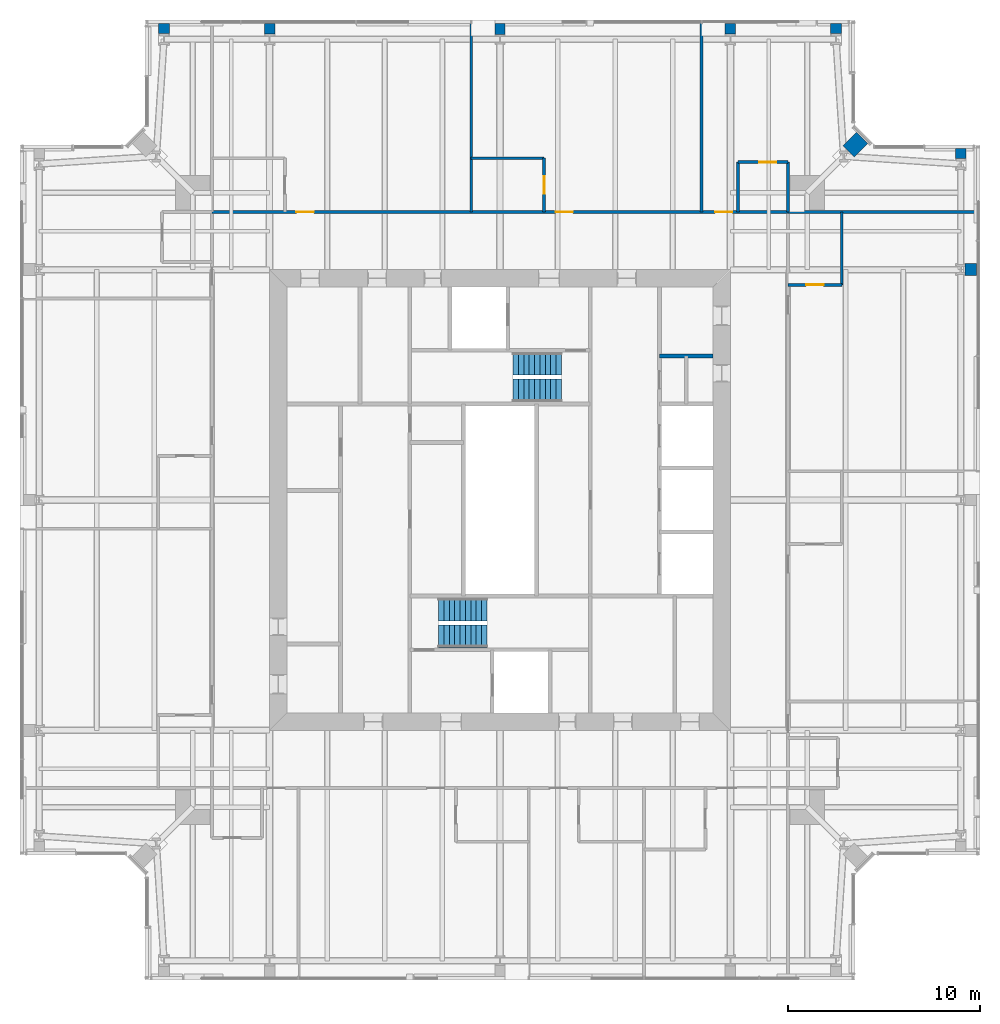
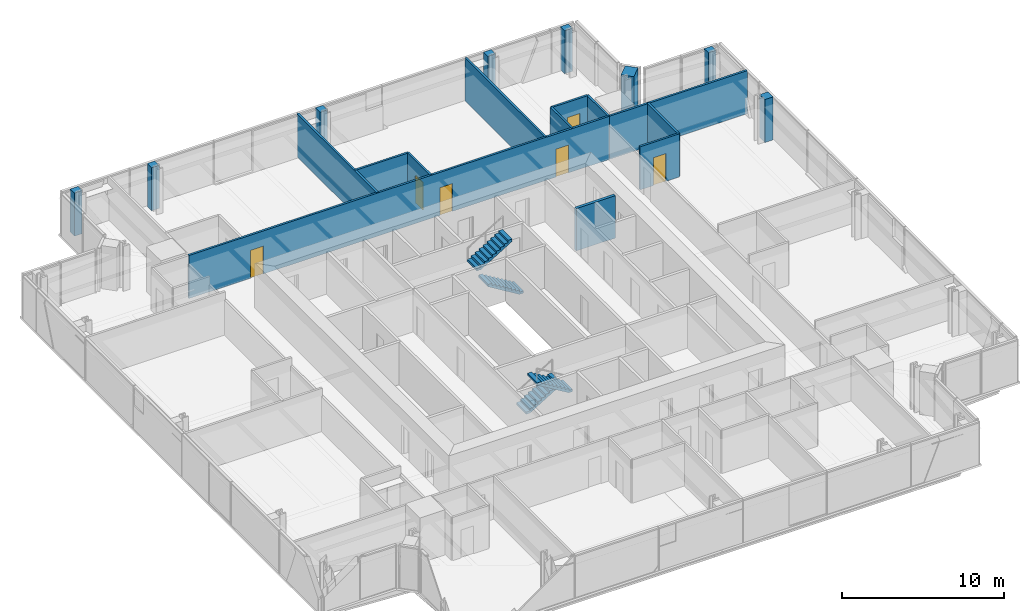
# One storey, part 14 of 20: 20 walls, 6 doors, 4 stair flights, 6 openings, 2 elements without a shape of their own.
"""IFC4 building model written with IfcOpenShell, lengths in metres."""

from ifc_helpers import new_model, si_unit, direction, frame, frame_2d, origin, place, context, subcontext, project, spatial, polyline, rectangle, outline, extrude, material, layer, layer_set, type_object, element, fill, aggregate, save


model = new_model("IFC4")

# Units and contexts
model_context = context("Model", 3, precision=1e-05, world=origin(), true_north=direction((0.0, 1.0)))
body_context = subcontext(model_context, "Body", "Model", "MODEL_VIEW")
ifc_project = project(units=[si_unit("LENGTHUNIT", "METRE"), si_unit("AREAUNIT", "SQUARE_METRE"), si_unit("VOLUMEUNIT", "CUBIC_METRE"), si_unit("PLANEANGLEUNIT", "RADIAN"), si_unit("MASSUNIT", "GRAM", prefix="KILO")], contexts=[model_context])

# Site, building, storey
site_placement = place(None, origin())
site = spatial("IfcSite", under=ifc_project, at=site_placement, CompositionType="ELEMENT")
building_placement = place(site_placement, origin())
building = spatial("IfcBuilding", under=site, at=building_placement, Name="Fenwick Lantern Interchange", CompositionType="ELEMENT")
storey_placement = place(building_placement, frame((0.0, 0.0, 279.800048828125)))
storey = spatial("IfcBuildingStorey", under=building, at=storey_placement, Name="L67", CompositionType="ELEMENT", Elevation=279.800048828125)

# Walls
ifc_material_1 = material(Name="Fire-rated gypsum board encasement on steel studs, 2 hour", Category="steel")
ifc_layer_1 = layer(ifc_material_1, 0.52392578125)
ifc_layer_set_1 = layer_set([ifc_layer_1], Name="COLUMN PIER 524")
wall_type_1 = type_object("IfcWallType", Name="COLUMN PIER 524", PredefinedType="PARTITIONING", material=ifc_layer_set_1)
wall_1_placement = place(storey_placement, frame((25.0, 49.81005859375, 0.0), z_axis=(0.0, 0.0, 1.0), x_axis=(0.0, -1.0, 0.0)))
element("IfcWall", 1, at=wall_1_placement, inside=storey, type_object=wall_type_1, Name="L67/W/PIER/CN3", PredefinedType="PARTITIONING", context=body_context, shape_type="SweptSolid", body=[
    extrude(rectangle(XDim=0.572509765625, YDim=0.52392578125, at=frame_2d((0.2861328125, 0.0))), origin(), (0.0, 0.0, 1.0), 3.25),
])
ifc_layer_2 = layer(ifc_material_1, 0.5419921875)
ifc_layer_set_2 = layer_set([ifc_layer_2], Name="COLUMN PIER 542")
wall_type_2 = type_object("IfcWallType", Name="COLUMN PIER 542", PredefinedType="PARTITIONING", material=ifc_layer_set_2)
for number, where, z_axis, x_axis, name in (
    (2, (37.0, 49.81005859375, 0.0), (0.0, 0.0, 1.0), (0.0, -1.0, 0.0), "L67/W/PIER/CN2"),
    (3, (13.0, 49.81005859375, 0.0), (0.0, 0.0, 1.0), (0.0, -1.0, 0.0), "L67/W/PIER/CN4"),
):
    element("IfcWall", number, at=place(storey_placement, frame(where, z_axis=z_axis, x_axis=x_axis)), inside=storey, type_object=wall_type_2, Name=name, PredefinedType="PARTITIONING", context=body_context, shape_type="SweptSolid", body=[
        extrude(rectangle(XDim=0.544677734375, YDim=0.5419921875, at=frame_2d((0.2724609375, 0.0))), origin(), (0.0, 0.0, 1.0), 3.25),
    ])
ifc_layer_3 = layer(ifc_material_1, 0.554931640625)
ifc_layer_set_3 = layer_set([ifc_layer_3], Name="COLUMN PIER 555")
wall_type_3 = type_object("IfcWallType", Name="COLUMN PIER 555", PredefinedType="PARTITIONING", material=ifc_layer_set_3)
for number, where, z_axis, x_axis, name in (
    (4, (49.0, 43.31005859375, 0.0), (0.0, 0.0, 1.0), (0.0, -1.0, 0.0), "L67/W/PIER/CE5"),
    (5, (42.5, 49.81005859375, 0.0), (0.0, 0.0, 1.0), (0.0, -1.0, 0.0), "L67/W/PIER/CN1"),
    (6, (7.5, 49.81005859375, 0.0), (0.0, 0.0, 1.0), (0.0, -1.0, 0.0), "L67/W/PIER/CN5"),
):
    element("IfcWall", number, at=place(storey_placement, frame(where, z_axis=z_axis, x_axis=x_axis)), inside=storey, type_object=wall_type_3, Name=name, PredefinedType="PARTITIONING", context=body_context, shape_type="SweptSolid", body=[
        extrude(rectangle(XDim=0.525634765625, YDim=0.554931640625, at=frame_2d((0.2626953125, 0.0))), origin(), (0.0, 0.0, 1.0), 3.25),
    ])
ifc_layer_4 = layer(ifc_material_1, 0.631103515625)
ifc_layer_set_4 = layer_set([ifc_layer_4], Name="COLUMN PIER 631")
wall_type_4 = type_object("IfcWallType", Name="COLUMN PIER 631", PredefinedType="PARTITIONING", material=ifc_layer_set_4)
wall_2_placement = place(storey_placement, frame((49.81005859375, 37.0, 0.0), z_axis=(0.0, 0.0, 1.0), x_axis=(-1.0, 0.0, 0.0)))
element("IfcWall", 7, at=wall_2_placement, inside=storey, type_object=wall_type_4, Name="L67/W/PIER/CE4", PredefinedType="PARTITIONING", context=body_context, shape_type="SweptSolid", body=[
    extrude(rectangle(XDim=0.589111328125, YDim=0.631103515625, at=frame_2d((0.29443359375, 0.0))), origin(), (0.0, 0.0, 1.0), 3.25),
])
ifc_layer_5 = layer(ifc_material_1, 0.823974609375)
ifc_layer_set_5 = layer_set([ifc_layer_5], Name="COLUMN PIER 824")
wall_type_5 = type_object("IfcWallType", Name="COLUMN PIER 824", PredefinedType="PARTITIONING", material=ifc_layer_set_5)
wall_3_placement = place(storey_placement, frame((43.86572265625, 43.86572265625, 0.0), z_axis=(0.0, 0.0, 1.0), x_axis=(-0.707106781187, -0.707106781187, 0.0)))
element("IfcWall", 8, at=wall_3_placement, inside=storey, type_object=wall_type_5, Name="L67/W/PIER/CER", PredefinedType="PARTITIONING", context=body_context, shape_type="SweptSolid", body=[
    extrude(rectangle(XDim=1.003662109375, YDim=0.823974609375, at=frame_2d((0.501953125, 0.0))), origin(), (0.0, 0.0, 1.0), 3.25),
])
ifc_material_2 = material(Name="Concrete masonry ASTM C90 Grade N", Category="masonry")
ifc_layer_6 = layer(ifc_material_2, 0.199951171875)
ifc_layer_set_6 = layer_set([ifc_layer_6], Name="Concrete masonry ASTM C90 Grade N")
wall_type_6 = type_object("IfcWallType", Name="CORE PARTITION 200", PredefinedType="PARTITIONING", material=ifc_layer_set_6)
wall_4_placement = place(storey_placement, frame((36.10009765625, 32.5, 0.0), z_axis=(0.0, 0.0, 1.0), x_axis=(-1.0, 0.0, 0.0)))
element("IfcWall", 9, at=wall_4_placement, inside=storey, type_object=wall_type_6, Name="L67/W/COREN/p1", PredefinedType="PARTITIONING", context=body_context, shape_type="SweptSolid", body=[
    extrude(rectangle(XDim=2.800048828125, YDim=0.199951171875, at=frame_2d((1.39990234375, 0.0))), origin(), (0.0, 0.0, 1.0), 3.199951171875),
])

# Wall, openings, doors
ifc_material_3 = material(Name="Gypsum board on steel studs, 1 hour", Category="steel")
ifc_layer_7 = layer(ifc_material_3, 0.14990234375)
ifc_layer_set_7 = layer_set([ifc_layer_7], Name="CORRIDOR WALL 150")
wall_type_7 = type_object("IfcWallType", Name="CORRIDOR WALL 150", PredefinedType="PARTITIONING", material=ifc_layer_set_7)
wall_5_placement = place(storey_placement, frame((40.0, 40.0, 0.0), z_axis=(0.0, 0.0, 1.0), x_axis=(-1.0, 0.0, 0.0)))
wall_5 = element("IfcWall", 10, at=wall_5_placement, inside=storey, type_object=wall_type_7, Name="L67/W/HOTEL/N/CW", PredefinedType="PARTITIONING", context=body_context, shape_type="SweptSolid", body=[
    extrude(rectangle(XDim=30.0, YDim=0.14990234375, at=frame_2d((15.0, 0.0))), origin(), (0.0, 0.0, 1.0), 3.25),
])
opening_1_placement = place(wall_5_placement, frame((2.89990234375, 0.0, 0.0)))
opening_1 = element("IfcOpeningElement", 11, at=opening_1_placement, cuts=wall_5, Name="Opening L67-D036", PredefinedType="OPENING", context=body_context, shape_type="SweptSolid", body=[
    extrude(rectangle(XDim=0.89990234375, YDim=2.10009765625, at=frame_2d((0.449951171875, 1.050048828125))), frame((0.0, 0.0849609375, 0.0), z_axis=(0.0, -1.0, 0.0), x_axis=(1.0, 0.0, 0.0)), (0.0, 0.0, 1.0), 0.169921875),
])
opening_2_placement = place(wall_5_placement, frame((11.199951171875, 0.0, 0.0)))
opening_2 = element("IfcOpeningElement", 12, at=opening_2_placement, cuts=wall_5, Name="Opening L67-D039", PredefinedType="OPENING", context=body_context, shape_type="SweptSolid", body=[
    extrude(rectangle(XDim=0.89990234375, YDim=2.10009765625, at=frame_2d((0.449951171875, 1.050048828125))), frame((0.0, 0.0849609375, 0.0), z_axis=(0.0, -1.0, 0.0), x_axis=(1.0, 0.0, 0.0)), (0.0, 0.0, 1.0), 0.169921875),
])
opening_3_placement = place(wall_5_placement, frame((24.699951171875, 0.0, 0.0)))
opening_3 = element("IfcOpeningElement", 13, at=opening_3_placement, cuts=wall_5, Name="Opening L67-D041", PredefinedType="OPENING", context=body_context, shape_type="SweptSolid", body=[
    extrude(rectangle(XDim=0.89990234375, YDim=2.10009765625, at=frame_2d((0.449951171875, 1.050048828125))), frame((0.0, 0.0849609375, 0.0), z_axis=(0.0, -1.0, 0.0), x_axis=(1.0, 0.0, 0.0)), (0.0, 0.0, 1.0), 0.169921875),
])
ifc_material_4 = material(Name="Steel door and frame", Category="steel")
door_type_1 = type_object("IfcDoorType", Name="GUEST ROOM DOOR 900 X 2100", OperationType="SINGLE_SWING_LEFT", PredefinedType="DOOR", material=ifc_material_4)
door_1_placement = place(opening_1_placement, frame((0.89990234375, 0.0, 0.0), z_axis=(0.0, 0.0, 1.0), x_axis=(-1.0, 0.0, 0.0)))
door_1 = element("IfcDoor", 14, at=door_1_placement, inside=storey, type_object=door_type_1, Name="Guest room door", OperationType="SINGLE_SWING_RIGHT", OverallHeight=2.10009765625, OverallWidth=0.89990234375, PredefinedType="DOOR", context=body_context, shape_type="SweptSolid", body=[
    extrude(rectangle(XDim=0.89990234375, YDim=2.10009765625, at=frame_2d((0.449951171875, 1.050048828125))), frame((0.0, 0.02490234375, 0.0), z_axis=(0.0, -1.0, 0.0), x_axis=(1.0, 0.0, 0.0)), (0.0, 0.0, 1.0), 0.050048828125),
])
fill(opening_1, door_1)
door_2_placement = place(opening_2_placement, frame((0.89990234375, 0.0, 0.0), z_axis=(0.0, 0.0, 1.0), x_axis=(-1.0, 0.0, 0.0)))
door_2 = element("IfcDoor", 15, at=door_2_placement, inside=storey, type_object=door_type_1, Name="Guest room door", OperationType="SINGLE_SWING_LEFT", OverallHeight=2.10009765625, OverallWidth=0.89990234375, PredefinedType="DOOR", context=body_context, shape_type="SweptSolid", body=[
    extrude(rectangle(XDim=0.89990234375, YDim=2.10009765625, at=frame_2d((0.449951171875, 1.050048828125))), frame((0.0, 0.02490234375, 0.0), z_axis=(0.0, -1.0, 0.0), x_axis=(1.0, 0.0, 0.0)), (0.0, 0.0, 1.0), 0.050048828125),
])
fill(opening_2, door_2)
door_3_placement = place(opening_3_placement, frame((0.89990234375, 0.0, 0.0), z_axis=(0.0, 0.0, 1.0), x_axis=(-1.0, 0.0, 0.0)))
door_3 = element("IfcDoor", 16, at=door_3_placement, inside=storey, type_object=door_type_1, Name="Guest room door", OperationType="SINGLE_SWING_LEFT", OverallHeight=2.10009765625, OverallWidth=0.89990234375, PredefinedType="DOOR", context=body_context, shape_type="SweptSolid", body=[
    extrude(rectangle(XDim=0.89990234375, YDim=2.10009765625, at=frame_2d((0.449951171875, 1.050048828125))), frame((0.0, 0.02490234375, 0.0), z_axis=(0.0, -1.0, 0.0), x_axis=(1.0, 0.0, 0.0)), (0.0, 0.0, 1.0), 0.050048828125),
])
fill(opening_3, door_3)

# Wall
ifc_material_5 = material(Name="Gypsum board on steel studs, moisture resistant", Category="steel")
ifc_layer_8 = layer(ifc_material_5, 0.14990234375)
ifc_layer_set_8 = layer_set([ifc_layer_8], Name="EN-SUITE WALL 150")
wall_type_8 = type_object("IfcWallType", Name="EN-SUITE WALL 150", PredefinedType="PARTITIONING", material=ifc_layer_set_8)
wall_6_placement = place(storey_placement, frame((42.800048828125, 36.199951171875, 0.0), z_axis=(0.0, 0.0, 1.0), x_axis=(0.0, 1.0, 0.0)))
element("IfcWall", 17, at=wall_6_placement, inside=storey, type_object=wall_type_8, Name="L67/W/HOTEL/E/U3BW", PredefinedType="PARTITIONING", context=body_context, shape_type="SweptSolid", body=[
    extrude(rectangle(XDim=3.800048828125, YDim=0.14990234375, at=frame_2d((1.89990234375, 0.0))), origin(), (0.0, 0.0, 1.0), 3.25),
])

# Wall, opening, door
wall_7_placement = place(storey_placement, frame((42.800048828125, 36.199951171875, 0.0), z_axis=(0.0, 0.0, 1.0), x_axis=(-1.0, 0.0, 0.0)))
wall_7 = element("IfcWall", 18, at=wall_7_placement, inside=storey, type_object=wall_type_8, Name="L67/W/HOTEL/E/U3BX", PredefinedType="PARTITIONING", context=body_context, shape_type="SweptSolid", body=[
    extrude(rectangle(XDim=2.800048828125, YDim=0.14990234375, at=frame_2d((1.39990234375, 0.0))), origin(), (0.0, 0.0, 1.0), 3.25),
])
opening_4_placement = place(wall_7_placement, frame((0.949951171875, 0.0, 0.0)))
opening_4 = element("IfcOpeningElement", 19, at=opening_4_placement, cuts=wall_7, Name="Opening L67-D034", PredefinedType="OPENING", context=body_context, shape_type="SweptSolid", body=[
    extrude(rectangle(XDim=0.89990234375, YDim=2.10009765625, at=frame_2d((0.449951171875, 1.050048828125))), frame((0.0, 0.0849609375, 0.0), z_axis=(0.0, -1.0, 0.0), x_axis=(1.0, 0.0, 0.0)), (0.0, 0.0, 1.0), 0.169921875),
])
ifc_material_6 = material(Name="Hardwood door and steel frame", Category="steel")
door_type_2 = type_object("IfcDoorType", Name="EN-SUITE DOOR 900 X 2100", OperationType="SINGLE_SWING_LEFT", PredefinedType="DOOR", material=ifc_material_6)
door_4_placement = place(opening_4_placement, frame((0.89990234375, 0.0, 0.0), z_axis=(0.0, 0.0, 1.0), x_axis=(-1.0, 0.0, 0.0)))
door_4 = element("IfcDoor", 20, at=door_4_placement, inside=storey, type_object=door_type_2, Name="En-suite door", OperationType="SINGLE_SWING_RIGHT", OverallHeight=2.10009765625, OverallWidth=0.89990234375, PredefinedType="DOOR", context=body_context, shape_type="SweptSolid", body=[
    extrude(rectangle(XDim=0.89990234375, YDim=2.10009765625, at=frame_2d((0.449951171875, 1.050048828125))), frame((0.0, 0.02490234375, 0.0), z_axis=(0.0, -1.0, 0.0), x_axis=(1.0, 0.0, 0.0)), (0.0, 0.0, 1.0), 0.050048828125),
])
fill(opening_4, door_4)

wall_8_placement = place(storey_placement, frame((40.0, 42.60009765625, 0.0), z_axis=(0.0, 0.0, 1.0), x_axis=(-1.0, 0.0, 0.0)))
wall_8 = element("IfcWall", 21, at=wall_8_placement, inside=storey, type_object=wall_type_8, Name="L67/W/HOTEL/N/U1BW", PredefinedType="PARTITIONING", context=body_context, shape_type="SweptSolid", body=[
    extrude(rectangle(XDim=2.60009765625, YDim=0.14990234375, at=frame_2d((1.300048828125, 0.0))), origin(), (0.0, 0.0, 1.0), 3.25),
])
opening_5_placement = place(wall_8_placement, frame((0.60009765625, 0.0, 0.0)))
opening_5 = element("IfcOpeningElement", 22, at=opening_5_placement, cuts=wall_8, Name="Opening L67-D037", PredefinedType="OPENING", context=body_context, shape_type="SweptSolid", body=[
    extrude(rectangle(XDim=0.89990234375, YDim=2.10009765625, at=frame_2d((0.449951171875, 1.050048828125))), frame((0.0, 0.0849609375, 0.0), z_axis=(0.0, -1.0, 0.0), x_axis=(1.0, 0.0, 0.0)), (0.0, 0.0, 1.0), 0.169921875),
])
door_5_placement = place(opening_5_placement, origin())
door_5 = element("IfcDoor", 23, at=door_5_placement, inside=storey, type_object=door_type_2, Name="En-suite door", OperationType="SINGLE_SWING_LEFT", OverallHeight=2.10009765625, OverallWidth=0.89990234375, PredefinedType="DOOR", context=body_context, shape_type="SweptSolid", body=[
    extrude(rectangle(XDim=0.89990234375, YDim=2.10009765625, at=frame_2d((0.449951171875, 1.050048828125))), frame((0.0, 0.02490234375, 0.0), z_axis=(0.0, -1.0, 0.0), x_axis=(1.0, 0.0, 0.0)), (0.0, 0.0, 1.0), 0.050048828125),
])
fill(opening_5, door_5)

# Walls
for number, where, z_axis, x_axis, name in (
    (24, (40.0, 42.60009765625, 0.0), (0.0, 0.0, 1.0), (0.0, -1.0, 0.0), "L67/W/HOTEL/N/U1BX"),
    (25, (37.39990234375, 42.60009765625, 0.0), (0.0, 0.0, 1.0), (0.0, -1.0, 0.0), "L67/W/HOTEL/N/U1BE"),
):
    element("IfcWall", number, at=place(storey_placement, frame(where, z_axis=z_axis, x_axis=x_axis)), inside=storey, type_object=wall_type_8, Name=name, PredefinedType="PARTITIONING", context=body_context, shape_type="SweptSolid", body=[
        extrude(rectangle(XDim=2.60009765625, YDim=0.14990234375, at=frame_2d((1.300048828125, 0.0))), origin(), (0.0, 0.0, 1.0), 3.25),
    ])
wall_9_placement = place(storey_placement, frame((27.300048828125, 42.800048828125, 0.0), z_axis=(0.0, 0.0, 1.0), x_axis=(-1.0, 0.0, 0.0)))
element("IfcWall", 26, at=wall_9_placement, inside=storey, type_object=wall_type_8, Name="L67/W/HOTEL/N/U2BW", PredefinedType="PARTITIONING", context=body_context, shape_type="SweptSolid", body=[
    extrude(rectangle(XDim=3.800048828125, YDim=0.14990234375, at=frame_2d((1.89990234375, 0.0))), origin(), (0.0, 0.0, 1.0), 3.25),
])

# Wall, opening, door
wall_10_placement = place(storey_placement, frame((27.300048828125, 42.800048828125, 0.0), z_axis=(0.0, 0.0, 1.0), x_axis=(0.0, -1.0, 0.0)))
wall_10 = element("IfcWall", 27, at=wall_10_placement, inside=storey, type_object=wall_type_8, Name="L67/W/HOTEL/N/U2BX", PredefinedType="PARTITIONING", context=body_context, shape_type="SweptSolid", body=[
    extrude(rectangle(XDim=2.800048828125, YDim=0.14990234375, at=frame_2d((1.39990234375, 0.0))), origin(), (0.0, 0.0, 1.0), 3.25),
])
opening_6_placement = place(wall_10_placement, frame((0.949951171875, 0.0, 0.0)))
opening_6 = element("IfcOpeningElement", 28, at=opening_6_placement, cuts=wall_10, Name="Opening L67-D038", PredefinedType="OPENING", context=body_context, shape_type="SweptSolid", body=[
    extrude(rectangle(XDim=0.89990234375, YDim=2.10009765625, at=frame_2d((0.449951171875, 1.050048828125))), frame((0.0, 0.0849609375, 0.0), z_axis=(0.0, -1.0, 0.0), x_axis=(1.0, 0.0, 0.0)), (0.0, 0.0, 1.0), 0.169921875),
])
door_6_placement = place(opening_6_placement, frame((0.89990234375, 0.0, 0.0), z_axis=(0.0, 0.0, 1.0), x_axis=(-1.0, 0.0, 0.0)))
door_6 = element("IfcDoor", 29, at=door_6_placement, inside=storey, type_object=door_type_2, Name="En-suite door", OperationType="SINGLE_SWING_RIGHT", OverallHeight=2.10009765625, OverallWidth=0.89990234375, PredefinedType="DOOR", context=body_context, shape_type="SweptSolid", body=[
    extrude(rectangle(XDim=0.89990234375, YDim=2.10009765625, at=frame_2d((0.449951171875, 1.050048828125))), frame((0.0, 0.02490234375, 0.0), z_axis=(0.0, -1.0, 0.0), x_axis=(1.0, 0.0, 0.0)), (0.0, 0.0, 1.0), 0.050048828125),
])
fill(opening_6, door_6)

# Walls
ifc_material_7 = material(Name="Gypsum board on steel studs, 1 hour acoustic", Category="steel")
ifc_layer_9 = layer(ifc_material_7, 0.14990234375)
ifc_layer_set_9 = layer_set([ifc_layer_9], Name="PARTY WALL 150")
wall_type_9 = type_object("IfcWallType", Name="PARTY WALL 150", PredefinedType="PARTITIONING", material=ifc_layer_set_9)
for number, where, z_axis, x_axis, name in (
    (30, (49.85009765625, 40.0, 0.0), (0.0, 0.0, 1.0), (-1.0, 0.0, 0.0), "L67/W/HOTEL/N/SW3"),
    (31, (35.5, 49.85009765625, 0.0), (0.0, 0.0, 1.0), (0.0, -1.0, 0.0), "L67/W/HOTEL/N/U2PW"),
    (32, (23.5, 49.85009765625, 0.0), (0.0, 0.0, 1.0), (0.0, -1.0, 0.0), "L67/W/HOTEL/N/U3PW"),
):
    element("IfcWall", number, at=place(storey_placement, frame(where, z_axis=z_axis, x_axis=x_axis)), inside=storey, type_object=wall_type_9, Name=name, PredefinedType="PARTITIONING", context=body_context, shape_type="SweptSolid", body=[
        extrude(rectangle(XDim=9.85009765625, YDim=0.14990234375, at=frame_2d((4.925048828125, 0.0))), origin(), (0.0, 0.0, 1.0), 3.25),
    ])

# Stair, stair flights
ifc_material_8 = material(Name="Precast concrete f'c 35 MPa", Category="concrete")
stair_type = type_object("IfcStairType", Name="EXIT STAIR 1200", PredefinedType="HALF_TURN_STAIR", material=ifc_material_8)
stair_1_placement = place(storey_placement, origin())
stair_1 = element("IfcStair", 33, at=stair_1_placement, inside=storey, type_object=stair_type, Name="Exit stair ST1", PredefinedType="HALF_TURN_STAIR")
stair_flight_type = type_object("IfcStairFlightType", Name="STAIR FLIGHT 1200", PredefinedType="STRAIGHT", material=ifc_material_8)
stair_flight_1_placement = place(storey_placement, frame((21.800048828125, 19.300048828125, 0.0), z_axis=(0.0, 0.0, 1.0), x_axis=(1.0, 0.0, 0.0)))
stair_flight_1 = element("IfcStairFlight", 34, at=stair_flight_1_placement, type_object=stair_flight_type, Name="ST1 flight 1", NumberOfRisers=10, NumberOfTreads=9, PredefinedType="STRAIGHT", RiserHeight=0.17, TreadLength=0.28, context=body_context, shape_type="SweptSolid", body=[
    extrude(outline(polyline([(0.0, 0.0), (0.0, 0.169921875), (0.280029296875, 0.169921875), (0.280029296875, 0.340087890625), (0.56005859375, 0.340087890625), (0.56005859375, 0.510009765625), (0.840087890625, 0.510009765625), (0.840087890625, 0.679931640625), (1.1201171875, 0.679931640625), (1.1201171875, 0.85009765625), (1.39990234375, 0.85009765625), (1.39990234375, 1.02001953125), (1.679931640625, 1.02001953125), (1.679931640625, 1.18994140625), (1.9599609375, 1.18994140625), (1.9599609375, 1.360107421875), (2.239990234375, 1.360107421875), (2.239990234375, 1.530029296875), (2.52001953125, 1.530029296875), (2.52001953125, 1.699951171875), (2.52001953125, 1.354736328125), (0.288818359375, 0.0), (0.0, 0.0)])), frame((0.0, 0.60009765625, 0.0), z_axis=(0.0, -1.0, 0.0), x_axis=(1.0, 0.0, 0.0)), (0.0, 0.0, 1.0), 1.199951171875),
])
stair_flight_2_placement = place(storey_placement, frame((24.320068359375, 17.89990234375, 1.699951171875), z_axis=(0.0, 0.0, 1.0), x_axis=(-1.0, 0.0, 0.0)))
stair_flight_2 = element("IfcStairFlight", 35, at=stair_flight_2_placement, type_object=stair_flight_type, Name="ST1 flight 2", NumberOfRisers=10, NumberOfTreads=9, PredefinedType="STRAIGHT", RiserHeight=0.17, TreadLength=0.28, context=body_context, shape_type="SweptSolid", body=[
    extrude(outline(polyline([(0.0, 0.0), (0.0, 0.169921875), (0.280029296875, 0.169921875), (0.280029296875, 0.340087890625), (0.56005859375, 0.340087890625), (0.56005859375, 0.510009765625), (0.840087890625, 0.510009765625), (0.840087890625, 0.679931640625), (1.1201171875, 0.679931640625), (1.1201171875, 0.85009765625), (1.39990234375, 0.85009765625), (1.39990234375, 1.02001953125), (1.679931640625, 1.02001953125), (1.679931640625, 1.18994140625), (1.9599609375, 1.18994140625), (1.9599609375, 1.360107421875), (2.239990234375, 1.360107421875), (2.239990234375, 1.530029296875), (2.52001953125, 1.530029296875), (2.52001953125, 1.699951171875), (2.52001953125, 1.354736328125), (0.288818359375, 0.0), (0.0, 0.0)])), frame((0.0, 0.60009765625, 0.0), z_axis=(0.0, -1.0, 0.0), x_axis=(1.0, 0.0, 0.0)), (0.0, 0.0, 1.0), 1.199951171875),
])
aggregate(stair_1, [stair_flight_1, stair_flight_2])

stair_2_placement = place(storey_placement, origin())
stair_2 = element("IfcStair", 36, at=stair_2_placement, inside=storey, type_object=stair_type, Name="Exit stair ST2", PredefinedType="HALF_TURN_STAIR")
stair_flight_3_placement = place(storey_placement, frame((28.199951171875, 30.699951171875, 0.0), z_axis=(0.0, 0.0, 1.0), x_axis=(-1.0, 0.0, 0.0)))
stair_flight_3 = element("IfcStairFlight", 37, at=stair_flight_3_placement, type_object=stair_flight_type, Name="ST2 flight 1", NumberOfRisers=10, NumberOfTreads=9, PredefinedType="STRAIGHT", RiserHeight=0.17, TreadLength=0.28, context=body_context, shape_type="SweptSolid", body=[
    extrude(outline(polyline([(0.0, 0.0), (0.0, 0.169921875), (0.280029296875, 0.169921875), (0.280029296875, 0.340087890625), (0.56005859375, 0.340087890625), (0.56005859375, 0.510009765625), (0.840087890625, 0.510009765625), (0.840087890625, 0.679931640625), (1.1201171875, 0.679931640625), (1.1201171875, 0.85009765625), (1.39990234375, 0.85009765625), (1.39990234375, 1.02001953125), (1.679931640625, 1.02001953125), (1.679931640625, 1.18994140625), (1.9599609375, 1.18994140625), (1.9599609375, 1.360107421875), (2.239990234375, 1.360107421875), (2.239990234375, 1.530029296875), (2.52001953125, 1.530029296875), (2.52001953125, 1.699951171875), (2.52001953125, 1.354736328125), (0.288818359375, 0.0), (0.0, 0.0)])), frame((0.0, 0.60009765625, 0.0), z_axis=(0.0, -1.0, 0.0), x_axis=(1.0, 0.0, 0.0)), (0.0, 0.0, 1.0), 1.199951171875),
])
stair_flight_4_placement = place(storey_placement, frame((25.679931640625, 32.10009765625, 1.699951171875), z_axis=(0.0, 0.0, 1.0), x_axis=(1.0, 0.0, 0.0)))
stair_flight_4 = element("IfcStairFlight", 38, at=stair_flight_4_placement, type_object=stair_flight_type, Name="ST2 flight 2", NumberOfRisers=10, NumberOfTreads=9, PredefinedType="STRAIGHT", RiserHeight=0.17, TreadLength=0.28, context=body_context, shape_type="SweptSolid", body=[
    extrude(outline(polyline([(0.0, 0.0), (0.0, 0.169921875), (0.280029296875, 0.169921875), (0.280029296875, 0.340087890625), (0.56005859375, 0.340087890625), (0.56005859375, 0.510009765625), (0.840087890625, 0.510009765625), (0.840087890625, 0.679931640625), (1.1201171875, 0.679931640625), (1.1201171875, 0.85009765625), (1.39990234375, 0.85009765625), (1.39990234375, 1.02001953125), (1.679931640625, 1.02001953125), (1.679931640625, 1.18994140625), (1.9599609375, 1.18994140625), (1.9599609375, 1.360107421875), (2.239990234375, 1.360107421875), (2.239990234375, 1.530029296875), (2.52001953125, 1.530029296875), (2.52001953125, 1.699951171875), (2.52001953125, 1.354736328125), (0.288818359375, 0.0), (0.0, 0.0)])), frame((0.0, 0.60009765625, 0.0), z_axis=(0.0, -1.0, 0.0), x_axis=(1.0, 0.0, 0.0)), (0.0, 0.0, 1.0), 1.199951171875),
])
aggregate(stair_2, [stair_flight_3, stair_flight_4])

save(model, "model.ifc")
